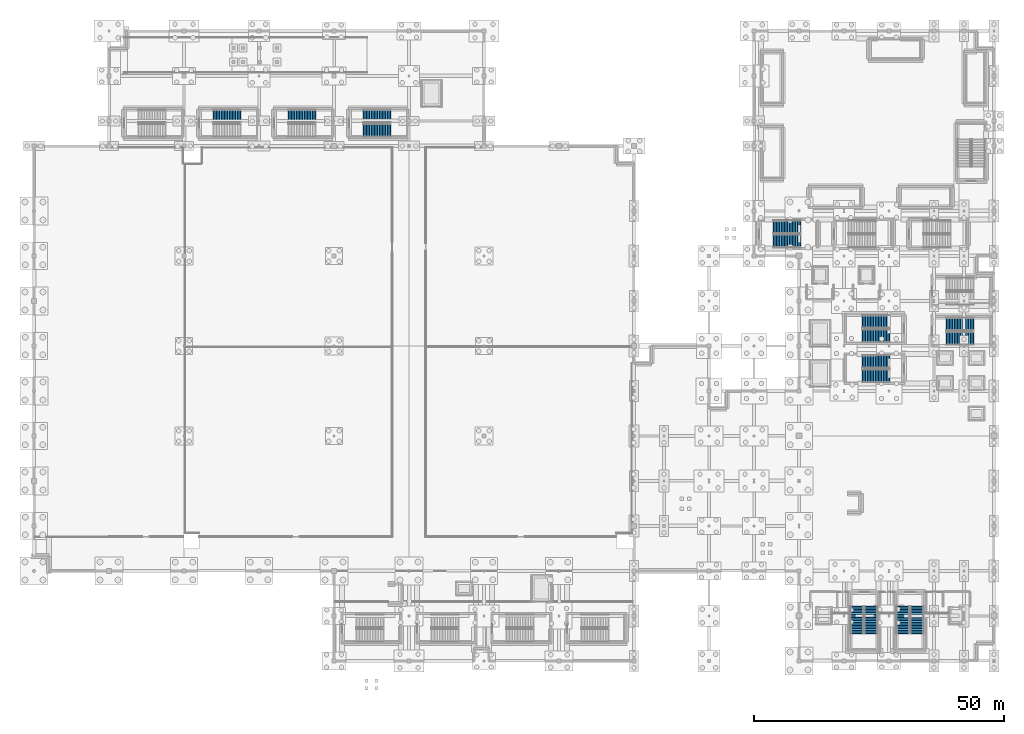
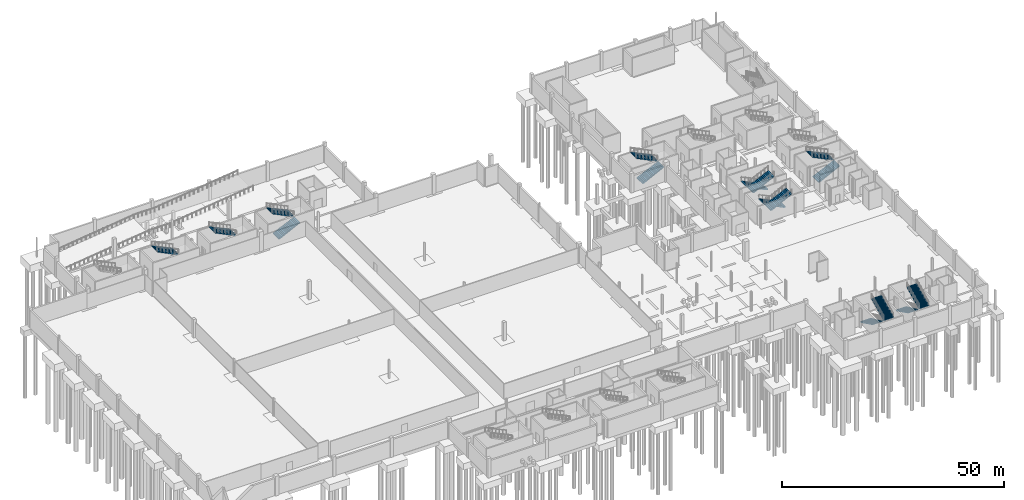
# One storey, part 47 of 58: 16 stair flights, 9 elements without a shape of their own.
"""IFC4 building model written with IfcOpenShell, lengths in metres."""

from ifc_helpers import new_model, si_unit, direction, frame, origin, place, context, subcontext, project, spatial, polyline, outline, extrude, material, type_object, element, aggregate, save


model = new_model("IFC4")

# Units and contexts
model_context = context("Model", 3, precision=1e-05, world=origin(), true_north=direction((0.0, 1.0)))
body_context = subcontext(model_context, "Body", "Model", "MODEL_VIEW")
ifc_project = project(units=[si_unit("LENGTHUNIT", "METRE"), si_unit("AREAUNIT", "SQUARE_METRE"), si_unit("VOLUMEUNIT", "CUBIC_METRE"), si_unit("PLANEANGLEUNIT", "RADIAN"), si_unit("MASSUNIT", "GRAM", prefix="KILO")], contexts=[model_context])

# Site, building, storey
site_placement = place(None, origin())
site = spatial("IfcSite", under=ifc_project, at=site_placement, CompositionType="ELEMENT")
building_placement = place(site_placement, origin())
building = spatial("IfcBuilding", under=site, at=building_placement, Name="Qamarlyn Nura Convention Centre", CompositionType="ELEMENT")
storey_placement = place(building_placement, frame((0.0, 0.0, -5.39990234375)))
storey = spatial("IfcBuildingStorey", under=building, at=storey_placement, Name="B01", CompositionType="ELEMENT", Elevation=-5.39990234375)

# Stair, stair flight
ifc_material = material(Name="Concrete C40/50", Category="concrete")
stair_type = type_object("IfcStairType", Name="STAIR-EXIT-54", PredefinedType="HALF_TURN_STAIR", material=ifc_material)
stair_1_placement = place(storey_placement, origin())
stair_1 = element("IfcStair", 1, at=stair_1_placement, inside=storey, type_object=stair_type, Name="B01 Enclosed exit stair ST-02", PredefinedType="HALF_TURN_STAIR")
stair_flight_type = type_object("IfcStairFlightType", Name="FLIGHT-EXIT-54", PredefinedType="STRAIGHT", material=ifc_material)
stair_flight_1_placement = place(storey_placement, frame((41.300048828125, 108.969970703125, 2.699951171875), z_axis=(0.0, 0.0, 1.0), x_axis=(-1.0, 0.0, 0.0)))
stair_flight_1 = element("IfcStairFlight", 2, at=stair_flight_1_placement, type_object=stair_flight_type, Name="ST-02 flight 2", NumberOfRisers=18, NumberOfTreads=17, PredefinedType="STRAIGHT", RiserHeight=0.15, TreadLength=0.32, context=body_context, shape_type="SweptSolid", body=[
    extrude(outline(polyline([(-0.054931640625, 0.0), (0.0, 0.0), (0.0, 0.14990234375), (0.320068359375, 0.14990234375), (0.320068359375, 0.300048828125), (0.639892578125, 0.300048828125), (0.639892578125, 0.449951171875), (0.9599609375, 0.449951171875), (0.9599609375, 0.60009765625), (1.280029296875, 0.60009765625), (1.280029296875, 0.75), (1.60009765625, 0.75), (1.60009765625, 0.89990234375), (1.919921875, 0.89990234375), (1.919921875, 1.050048828125), (2.239990234375, 1.050048828125), (2.239990234375, 1.199951171875), (2.56005859375, 1.199951171875), (2.56005859375, 1.35009765625), (2.8798828125, 1.35009765625), (2.8798828125, 1.5), (3.199951171875, 1.5), (3.199951171875, 1.64990234375), (3.52001953125, 1.64990234375), (3.52001953125, 1.800048828125), (3.840087890625, 1.800048828125), (3.840087890625, 1.949951171875), (4.159912109375, 1.949951171875), (4.159912109375, 2.10009765625), (4.47998046875, 2.10009765625), (4.47998046875, 2.25), (4.800048828125, 2.25), (4.800048828125, 2.39990234375), (5.1201171875, 2.39990234375), (5.1201171875, 2.550048828125), (5.43994140625, 2.550048828125), (5.43994140625, 2.699951171875), (5.494873046875, 2.699951171875), (5.494873046875, 2.56005859375), (5.43994140625, 2.384521484375), (0.353271484375, -0.139892578125), (-0.054931640625, -0.139892578125), (-0.054931640625, 0.0)])), frame((0.0, 1.330078125, 0.0), z_axis=(0.0, -1.0, 0.0), x_axis=(1.0, 0.0, 0.0)), (0.0, 0.0, 1.0), 2.659912109375),
])
aggregate(stair_1, [stair_flight_1])

stair_2_placement = place(storey_placement, origin())
stair_2 = element("IfcStair", 3, at=stair_2_placement, inside=storey, type_object=stair_type, Name="B01 Enclosed exit stair ST-03", PredefinedType="HALF_TURN_STAIR")
stair_flight_2_placement = place(storey_placement, frame((56.300048828125, 108.969970703125, 2.699951171875), z_axis=(0.0, 0.0, 1.0), x_axis=(-1.0, 0.0, 0.0)))
stair_flight_2 = element("IfcStairFlight", 4, at=stair_flight_2_placement, type_object=stair_flight_type, Name="ST-03 flight 2", NumberOfRisers=18, NumberOfTreads=17, PredefinedType="STRAIGHT", RiserHeight=0.15, TreadLength=0.32, context=body_context, shape_type="SweptSolid", body=[
    extrude(outline(polyline([(-0.054931640625, 0.0), (0.0, 0.0), (0.0, 0.14990234375), (0.320068359375, 0.14990234375), (0.320068359375, 0.300048828125), (0.639892578125, 0.300048828125), (0.639892578125, 0.449951171875), (0.9599609375, 0.449951171875), (0.9599609375, 0.60009765625), (1.280029296875, 0.60009765625), (1.280029296875, 0.75), (1.60009765625, 0.75), (1.60009765625, 0.89990234375), (1.919921875, 0.89990234375), (1.919921875, 1.050048828125), (2.239990234375, 1.050048828125), (2.239990234375, 1.199951171875), (2.56005859375, 1.199951171875), (2.56005859375, 1.35009765625), (2.8798828125, 1.35009765625), (2.8798828125, 1.5), (3.199951171875, 1.5), (3.199951171875, 1.64990234375), (3.52001953125, 1.64990234375), (3.52001953125, 1.800048828125), (3.840087890625, 1.800048828125), (3.840087890625, 1.949951171875), (4.159912109375, 1.949951171875), (4.159912109375, 2.10009765625), (4.47998046875, 2.10009765625), (4.47998046875, 2.25), (4.800048828125, 2.25), (4.800048828125, 2.39990234375), (5.1201171875, 2.39990234375), (5.1201171875, 2.550048828125), (5.43994140625, 2.550048828125), (5.43994140625, 2.699951171875), (5.494873046875, 2.699951171875), (5.494873046875, 2.56005859375), (5.43994140625, 2.384521484375), (0.353271484375, -0.139892578125), (-0.054931640625, -0.139892578125), (-0.054931640625, 0.0)])), frame((0.0, 1.330078125, 0.0), z_axis=(0.0, -1.0, 0.0), x_axis=(1.0, 0.0, 0.0)), (0.0, 0.0, 1.0), 2.659912109375),
])
aggregate(stair_2, [stair_flight_2])

# Stair, stair flights
stair_3_placement = place(storey_placement, origin())
stair_3 = element("IfcStair", 5, at=stair_3_placement, inside=storey, type_object=stair_type, Name="B01 Enclosed exit stair ST-04", PredefinedType="HALF_TURN_STAIR")
stair_flight_3_placement = place(storey_placement, frame((65.860107421875, 106.1298828125, 0.0), z_axis=(0.0, 0.0, 1.0), x_axis=(1.0, 0.0, 0.0)))
stair_flight_3 = element("IfcStairFlight", 6, at=stair_flight_3_placement, type_object=stair_flight_type, Name="ST-04 flight 1", NumberOfRisers=18, NumberOfTreads=17, PredefinedType="STRAIGHT", RiserHeight=0.15, TreadLength=0.32, context=body_context, shape_type="SweptSolid", body=[
    extrude(outline(polyline([(-0.054931640625, 0.0), (0.0, 0.0), (0.0, 0.14990234375), (0.320068359375, 0.14990234375), (0.320068359375, 0.300048828125), (0.639892578125, 0.300048828125), (0.639892578125, 0.449951171875), (0.9599609375, 0.449951171875), (0.9599609375, 0.60009765625), (1.280029296875, 0.60009765625), (1.280029296875, 0.75), (1.60009765625, 0.75), (1.60009765625, 0.89990234375), (1.919921875, 0.89990234375), (1.919921875, 1.050048828125), (2.239990234375, 1.050048828125), (2.239990234375, 1.199951171875), (2.56005859375, 1.199951171875), (2.56005859375, 1.35009765625), (2.8798828125, 1.35009765625), (2.8798828125, 1.5), (3.199951171875, 1.5), (3.199951171875, 1.64990234375), (3.52001953125, 1.64990234375), (3.52001953125, 1.800048828125), (3.840087890625, 1.800048828125), (3.840087890625, 1.949951171875), (4.159912109375, 1.949951171875), (4.159912109375, 2.10009765625), (4.47998046875, 2.10009765625), (4.47998046875, 2.25), (4.800048828125, 2.25), (4.800048828125, 2.39990234375), (5.1201171875, 2.39990234375), (5.1201171875, 2.550048828125), (5.43994140625, 2.550048828125), (5.43994140625, 2.699951171875), (5.494873046875, 2.699951171875), (5.494873046875, 2.56005859375), (5.43994140625, 2.384521484375), (0.353271484375, -0.139892578125), (-0.054931640625, -0.139892578125), (-0.054931640625, 0.0)])), frame((0.0, 1.330078125, 0.0), z_axis=(0.0, -1.0, 0.0), x_axis=(1.0, 0.0, 0.0)), (0.0, 0.0, 1.0), 2.659912109375),
])
stair_flight_4_placement = place(storey_placement, frame((71.300048828125, 108.969970703125, 2.699951171875), z_axis=(0.0, 0.0, 1.0), x_axis=(-1.0, 0.0, 0.0)))
stair_flight_4 = element("IfcStairFlight", 7, at=stair_flight_4_placement, type_object=stair_flight_type, Name="ST-04 flight 2", NumberOfRisers=18, NumberOfTreads=17, PredefinedType="STRAIGHT", RiserHeight=0.15, TreadLength=0.32, context=body_context, shape_type="SweptSolid", body=[
    extrude(outline(polyline([(-0.054931640625, 0.0), (0.0, 0.0), (0.0, 0.14990234375), (0.320068359375, 0.14990234375), (0.320068359375, 0.300048828125), (0.639892578125, 0.300048828125), (0.639892578125, 0.449951171875), (0.9599609375, 0.449951171875), (0.9599609375, 0.60009765625), (1.280029296875, 0.60009765625), (1.280029296875, 0.75), (1.60009765625, 0.75), (1.60009765625, 0.89990234375), (1.919921875, 0.89990234375), (1.919921875, 1.050048828125), (2.239990234375, 1.050048828125), (2.239990234375, 1.199951171875), (2.56005859375, 1.199951171875), (2.56005859375, 1.35009765625), (2.8798828125, 1.35009765625), (2.8798828125, 1.5), (3.199951171875, 1.5), (3.199951171875, 1.64990234375), (3.52001953125, 1.64990234375), (3.52001953125, 1.800048828125), (3.840087890625, 1.800048828125), (3.840087890625, 1.949951171875), (4.159912109375, 1.949951171875), (4.159912109375, 2.10009765625), (4.47998046875, 2.10009765625), (4.47998046875, 2.25), (4.800048828125, 2.25), (4.800048828125, 2.39990234375), (5.1201171875, 2.39990234375), (5.1201171875, 2.550048828125), (5.43994140625, 2.550048828125), (5.43994140625, 2.699951171875), (5.494873046875, 2.699951171875), (5.494873046875, 2.56005859375), (5.43994140625, 2.384521484375), (0.353271484375, -0.139892578125), (-0.054931640625, -0.139892578125), (-0.054931640625, 0.0)])), frame((0.0, 1.330078125, 0.0), z_axis=(0.0, -1.0, 0.0), x_axis=(1.0, 0.0, 0.0)), (0.0, 0.0, 1.0), 2.659912109375),
])
aggregate(stair_3, [stair_flight_3, stair_flight_4])

stair_4_placement = place(storey_placement, origin())
stair_4 = element("IfcStair", 8, at=stair_4_placement, inside=storey, type_object=stair_type, Name="B01 Enclosed exit stair ST-09", PredefinedType="HALF_TURN_STAIR")
stair_flight_5_placement = place(storey_placement, frame((164.580078125, 10.93994140625, 0.0), z_axis=(0.0, 0.0, 1.0), x_axis=(0.0, -1.0, 0.0)))
stair_flight_5 = element("IfcStairFlight", 9, at=stair_flight_5_placement, type_object=stair_flight_type, Name="ST-09 flight 1", NumberOfRisers=18, NumberOfTreads=17, PredefinedType="STRAIGHT", RiserHeight=0.15, TreadLength=0.32, context=body_context, shape_type="SweptSolid", body=[
    extrude(outline(polyline([(-0.054931640625, 0.0), (0.0, 0.0), (0.0, 0.14990234375), (0.320068359375, 0.14990234375), (0.320068359375, 0.300048828125), (0.639892578125, 0.300048828125), (0.639892578125, 0.449951171875), (0.9599609375, 0.449951171875), (0.9599609375, 0.60009765625), (1.280029296875, 0.60009765625), (1.280029296875, 0.75), (1.60009765625, 0.75), (1.60009765625, 0.89990234375), (1.919921875, 0.89990234375), (1.919921875, 1.050048828125), (2.239990234375, 1.050048828125), (2.239990234375, 1.199951171875), (2.56005859375, 1.199951171875), (2.56005859375, 1.35009765625), (2.8798828125, 1.35009765625), (2.8798828125, 1.5), (3.199951171875, 1.5), (3.199951171875, 1.64990234375), (3.52001953125, 1.64990234375), (3.52001953125, 1.800048828125), (3.840087890625, 1.800048828125), (3.840087890625, 1.949951171875), (4.159912109375, 1.949951171875), (4.159912109375, 2.10009765625), (4.47998046875, 2.10009765625), (4.47998046875, 2.25), (4.800048828125, 2.25), (4.800048828125, 2.39990234375), (5.1201171875, 2.39990234375), (5.1201171875, 2.550048828125), (5.43994140625, 2.550048828125), (5.43994140625, 2.699951171875), (5.494873046875, 2.699951171875), (5.494873046875, 2.56005859375), (5.43994140625, 2.384521484375), (0.353271484375, -0.139892578125), (-0.054931640625, -0.139892578125), (-0.054931640625, 0.0)])), frame((0.0, 1.330078125, 0.0), z_axis=(0.0, -1.0, 0.0), x_axis=(1.0, 0.0, 0.0)), (0.0, 0.0, 1.0), 2.659912109375),
])
stair_flight_6_placement = place(storey_placement, frame((167.419921875, 5.5, 2.699951171875), z_axis=(0.0, 0.0, 1.0), x_axis=(0.0, 1.0, 0.0)))
stair_flight_6 = element("IfcStairFlight", 10, at=stair_flight_6_placement, type_object=stair_flight_type, Name="ST-09 flight 2", NumberOfRisers=18, NumberOfTreads=17, PredefinedType="STRAIGHT", RiserHeight=0.15, TreadLength=0.32, context=body_context, shape_type="SweptSolid", body=[
    extrude(outline(polyline([(-0.054931640625, 0.0), (0.0, 0.0), (0.0, 0.14990234375), (0.320068359375, 0.14990234375), (0.320068359375, 0.300048828125), (0.639892578125, 0.300048828125), (0.639892578125, 0.449951171875), (0.9599609375, 0.449951171875), (0.9599609375, 0.60009765625), (1.280029296875, 0.60009765625), (1.280029296875, 0.75), (1.60009765625, 0.75), (1.60009765625, 0.89990234375), (1.919921875, 0.89990234375), (1.919921875, 1.050048828125), (2.239990234375, 1.050048828125), (2.239990234375, 1.199951171875), (2.56005859375, 1.199951171875), (2.56005859375, 1.35009765625), (2.8798828125, 1.35009765625), (2.8798828125, 1.5), (3.199951171875, 1.5), (3.199951171875, 1.64990234375), (3.52001953125, 1.64990234375), (3.52001953125, 1.800048828125), (3.840087890625, 1.800048828125), (3.840087890625, 1.949951171875), (4.159912109375, 1.949951171875), (4.159912109375, 2.10009765625), (4.47998046875, 2.10009765625), (4.47998046875, 2.25), (4.800048828125, 2.25), (4.800048828125, 2.39990234375), (5.1201171875, 2.39990234375), (5.1201171875, 2.550048828125), (5.43994140625, 2.550048828125), (5.43994140625, 2.699951171875), (5.494873046875, 2.699951171875), (5.494873046875, 2.56005859375), (5.43994140625, 2.384521484375), (0.353271484375, -0.139892578125), (-0.054931640625, -0.139892578125), (-0.054931640625, 0.0)])), frame((0.0, 1.330078125, 0.0), z_axis=(0.0, -1.0, 0.0), x_axis=(1.0, 0.0, 0.0)), (0.0, 0.0, 1.0), 2.659912109375),
])
aggregate(stair_4, [stair_flight_5, stair_flight_6])

stair_5_placement = place(storey_placement, origin())
stair_5 = element("IfcStair", 11, at=stair_5_placement, inside=storey, type_object=stair_type, Name="B01 Enclosed exit stair ST-10", PredefinedType="HALF_TURN_STAIR")
stair_flight_7_placement = place(storey_placement, frame((173.780029296875, 10.93994140625, 0.0), z_axis=(0.0, 0.0, 1.0), x_axis=(0.0, -1.0, 0.0)))
stair_flight_7 = element("IfcStairFlight", 12, at=stair_flight_7_placement, type_object=stair_flight_type, Name="ST-10 flight 1", NumberOfRisers=18, NumberOfTreads=17, PredefinedType="STRAIGHT", RiserHeight=0.15, TreadLength=0.32, context=body_context, shape_type="SweptSolid", body=[
    extrude(outline(polyline([(-0.054931640625, 0.0), (0.0, 0.0), (0.0, 0.14990234375), (0.320068359375, 0.14990234375), (0.320068359375, 0.300048828125), (0.639892578125, 0.300048828125), (0.639892578125, 0.449951171875), (0.9599609375, 0.449951171875), (0.9599609375, 0.60009765625), (1.280029296875, 0.60009765625), (1.280029296875, 0.75), (1.60009765625, 0.75), (1.60009765625, 0.89990234375), (1.919921875, 0.89990234375), (1.919921875, 1.050048828125), (2.239990234375, 1.050048828125), (2.239990234375, 1.199951171875), (2.56005859375, 1.199951171875), (2.56005859375, 1.35009765625), (2.8798828125, 1.35009765625), (2.8798828125, 1.5), (3.199951171875, 1.5), (3.199951171875, 1.64990234375), (3.52001953125, 1.64990234375), (3.52001953125, 1.800048828125), (3.840087890625, 1.800048828125), (3.840087890625, 1.949951171875), (4.159912109375, 1.949951171875), (4.159912109375, 2.10009765625), (4.47998046875, 2.10009765625), (4.47998046875, 2.25), (4.800048828125, 2.25), (4.800048828125, 2.39990234375), (5.1201171875, 2.39990234375), (5.1201171875, 2.550048828125), (5.43994140625, 2.550048828125), (5.43994140625, 2.699951171875), (5.494873046875, 2.699951171875), (5.494873046875, 2.56005859375), (5.43994140625, 2.384521484375), (0.353271484375, -0.139892578125), (-0.054931640625, -0.139892578125), (-0.054931640625, 0.0)])), frame((0.0, 1.330078125, 0.0), z_axis=(0.0, -1.0, 0.0), x_axis=(1.0, 0.0, 0.0)), (0.0, 0.0, 1.0), 2.659912109375),
])
stair_flight_8_placement = place(storey_placement, frame((176.6201171875, 5.5, 2.699951171875), z_axis=(0.0, 0.0, 1.0), x_axis=(0.0, 1.0, 0.0)))
stair_flight_8 = element("IfcStairFlight", 13, at=stair_flight_8_placement, type_object=stair_flight_type, Name="ST-10 flight 2", NumberOfRisers=18, NumberOfTreads=17, PredefinedType="STRAIGHT", RiserHeight=0.15, TreadLength=0.32, context=body_context, shape_type="SweptSolid", body=[
    extrude(outline(polyline([(-0.054931640625, 0.0), (0.0, 0.0), (0.0, 0.14990234375), (0.320068359375, 0.14990234375), (0.320068359375, 0.300048828125), (0.639892578125, 0.300048828125), (0.639892578125, 0.449951171875), (0.9599609375, 0.449951171875), (0.9599609375, 0.60009765625), (1.280029296875, 0.60009765625), (1.280029296875, 0.75), (1.60009765625, 0.75), (1.60009765625, 0.89990234375), (1.919921875, 0.89990234375), (1.919921875, 1.050048828125), (2.239990234375, 1.050048828125), (2.239990234375, 1.199951171875), (2.56005859375, 1.199951171875), (2.56005859375, 1.35009765625), (2.8798828125, 1.35009765625), (2.8798828125, 1.5), (3.199951171875, 1.5), (3.199951171875, 1.64990234375), (3.52001953125, 1.64990234375), (3.52001953125, 1.800048828125), (3.840087890625, 1.800048828125), (3.840087890625, 1.949951171875), (4.159912109375, 1.949951171875), (4.159912109375, 2.10009765625), (4.47998046875, 2.10009765625), (4.47998046875, 2.25), (4.800048828125, 2.25), (4.800048828125, 2.39990234375), (5.1201171875, 2.39990234375), (5.1201171875, 2.550048828125), (5.43994140625, 2.550048828125), (5.43994140625, 2.699951171875), (5.494873046875, 2.699951171875), (5.494873046875, 2.56005859375), (5.43994140625, 2.384521484375), (0.353271484375, -0.139892578125), (-0.054931640625, -0.139892578125), (-0.054931640625, 0.0)])), frame((0.0, 1.330078125, 0.0), z_axis=(0.0, -1.0, 0.0), x_axis=(1.0, 0.0, 0.0)), (0.0, 0.0, 1.0), 2.659912109375),
])
aggregate(stair_5, [stair_flight_7, stair_flight_8])

stair_6_placement = place(storey_placement, origin())
stair_6 = element("IfcStair", 14, at=stair_6_placement, inside=storey, type_object=stair_type, Name="B01 Enclosed exit stair ST-11", PredefinedType="HALF_TURN_STAIR")
stair_flight_9_placement = place(storey_placement, frame((171.139892578125, 59.8701171875, 0.0), z_axis=(0.0, 0.0, 1.0), x_axis=(-1.0, 0.0, 0.0)))
stair_flight_9 = element("IfcStairFlight", 15, at=stair_flight_9_placement, type_object=stair_flight_type, Name="ST-11 flight 1", NumberOfRisers=18, NumberOfTreads=17, PredefinedType="STRAIGHT", RiserHeight=0.15, TreadLength=0.32, context=body_context, shape_type="SweptSolid", body=[
    extrude(outline(polyline([(-0.054931640625, 0.0), (0.0, 0.0), (0.0, 0.14990234375), (0.320068359375, 0.14990234375), (0.320068359375, 0.300048828125), (0.639892578125, 0.300048828125), (0.639892578125, 0.449951171875), (0.9599609375, 0.449951171875), (0.9599609375, 0.60009765625), (1.280029296875, 0.60009765625), (1.280029296875, 0.75), (1.60009765625, 0.75), (1.60009765625, 0.89990234375), (1.919921875, 0.89990234375), (1.919921875, 1.050048828125), (2.239990234375, 1.050048828125), (2.239990234375, 1.199951171875), (2.56005859375, 1.199951171875), (2.56005859375, 1.35009765625), (2.8798828125, 1.35009765625), (2.8798828125, 1.5), (3.199951171875, 1.5), (3.199951171875, 1.64990234375), (3.52001953125, 1.64990234375), (3.52001953125, 1.800048828125), (3.840087890625, 1.800048828125), (3.840087890625, 1.949951171875), (4.159912109375, 1.949951171875), (4.159912109375, 2.10009765625), (4.47998046875, 2.10009765625), (4.47998046875, 2.25), (4.800048828125, 2.25), (4.800048828125, 2.39990234375), (5.1201171875, 2.39990234375), (5.1201171875, 2.550048828125), (5.43994140625, 2.550048828125), (5.43994140625, 2.699951171875), (5.494873046875, 2.699951171875), (5.494873046875, 2.56005859375), (5.43994140625, 2.384521484375), (0.353271484375, -0.139892578125), (-0.054931640625, -0.139892578125), (-0.054931640625, 0.0)])), frame((0.0, 1.330078125, 0.0), z_axis=(0.0, -1.0, 0.0), x_axis=(1.0, 0.0, 0.0)), (0.0, 0.0, 1.0), 2.659912109375),
])
stair_flight_10_placement = place(storey_placement, frame((165.699951171875, 57.030029296875, 2.699951171875), z_axis=(0.0, 0.0, 1.0), x_axis=(1.0, 0.0, 0.0)))
stair_flight_10 = element("IfcStairFlight", 16, at=stair_flight_10_placement, type_object=stair_flight_type, Name="ST-11 flight 2", NumberOfRisers=18, NumberOfTreads=17, PredefinedType="STRAIGHT", RiserHeight=0.15, TreadLength=0.32, context=body_context, shape_type="SweptSolid", body=[
    extrude(outline(polyline([(-0.054931640625, 0.0), (0.0, 0.0), (0.0, 0.14990234375), (0.320068359375, 0.14990234375), (0.320068359375, 0.300048828125), (0.639892578125, 0.300048828125), (0.639892578125, 0.449951171875), (0.9599609375, 0.449951171875), (0.9599609375, 0.60009765625), (1.280029296875, 0.60009765625), (1.280029296875, 0.75), (1.60009765625, 0.75), (1.60009765625, 0.89990234375), (1.919921875, 0.89990234375), (1.919921875, 1.050048828125), (2.239990234375, 1.050048828125), (2.239990234375, 1.199951171875), (2.56005859375, 1.199951171875), (2.56005859375, 1.35009765625), (2.8798828125, 1.35009765625), (2.8798828125, 1.5), (3.199951171875, 1.5), (3.199951171875, 1.64990234375), (3.52001953125, 1.64990234375), (3.52001953125, 1.800048828125), (3.840087890625, 1.800048828125), (3.840087890625, 1.949951171875), (4.159912109375, 1.949951171875), (4.159912109375, 2.10009765625), (4.47998046875, 2.10009765625), (4.47998046875, 2.25), (4.800048828125, 2.25), (4.800048828125, 2.39990234375), (5.1201171875, 2.39990234375), (5.1201171875, 2.550048828125), (5.43994140625, 2.550048828125), (5.43994140625, 2.699951171875), (5.494873046875, 2.699951171875), (5.494873046875, 2.56005859375), (5.43994140625, 2.384521484375), (0.353271484375, -0.139892578125), (-0.054931640625, -0.139892578125), (-0.054931640625, 0.0)])), frame((0.0, 1.330078125, 0.0), z_axis=(0.0, -1.0, 0.0), x_axis=(1.0, 0.0, 0.0)), (0.0, 0.0, 1.0), 2.659912109375),
])
aggregate(stair_6, [stair_flight_9, stair_flight_10])

stair_7_placement = place(storey_placement, origin())
stair_7 = element("IfcStair", 17, at=stair_7_placement, inside=storey, type_object=stair_type, Name="B01 Enclosed exit stair ST-12", PredefinedType="HALF_TURN_STAIR")
stair_flight_11_placement = place(storey_placement, frame((171.139892578125, 67.8701171875, 0.0), z_axis=(0.0, 0.0, 1.0), x_axis=(-1.0, 0.0, 0.0)))
stair_flight_11 = element("IfcStairFlight", 18, at=stair_flight_11_placement, type_object=stair_flight_type, Name="ST-12 flight 1", NumberOfRisers=18, NumberOfTreads=17, PredefinedType="STRAIGHT", RiserHeight=0.15, TreadLength=0.32, context=body_context, shape_type="SweptSolid", body=[
    extrude(outline(polyline([(-0.054931640625, 0.0), (0.0, 0.0), (0.0, 0.14990234375), (0.320068359375, 0.14990234375), (0.320068359375, 0.300048828125), (0.639892578125, 0.300048828125), (0.639892578125, 0.449951171875), (0.9599609375, 0.449951171875), (0.9599609375, 0.60009765625), (1.280029296875, 0.60009765625), (1.280029296875, 0.75), (1.60009765625, 0.75), (1.60009765625, 0.89990234375), (1.919921875, 0.89990234375), (1.919921875, 1.050048828125), (2.239990234375, 1.050048828125), (2.239990234375, 1.199951171875), (2.56005859375, 1.199951171875), (2.56005859375, 1.35009765625), (2.8798828125, 1.35009765625), (2.8798828125, 1.5), (3.199951171875, 1.5), (3.199951171875, 1.64990234375), (3.52001953125, 1.64990234375), (3.52001953125, 1.800048828125), (3.840087890625, 1.800048828125), (3.840087890625, 1.949951171875), (4.159912109375, 1.949951171875), (4.159912109375, 2.10009765625), (4.47998046875, 2.10009765625), (4.47998046875, 2.25), (4.800048828125, 2.25), (4.800048828125, 2.39990234375), (5.1201171875, 2.39990234375), (5.1201171875, 2.550048828125), (5.43994140625, 2.550048828125), (5.43994140625, 2.699951171875), (5.494873046875, 2.699951171875), (5.494873046875, 2.56005859375), (5.43994140625, 2.384521484375), (0.353271484375, -0.139892578125), (-0.054931640625, -0.139892578125), (-0.054931640625, 0.0)])), frame((0.0, 1.330078125, 0.0), z_axis=(0.0, -1.0, 0.0), x_axis=(1.0, 0.0, 0.0)), (0.0, 0.0, 1.0), 2.659912109375),
])
stair_flight_12_placement = place(storey_placement, frame((165.699951171875, 65.030029296875, 2.699951171875), z_axis=(0.0, 0.0, 1.0), x_axis=(1.0, 0.0, 0.0)))
stair_flight_12 = element("IfcStairFlight", 19, at=stair_flight_12_placement, type_object=stair_flight_type, Name="ST-12 flight 2", NumberOfRisers=18, NumberOfTreads=17, PredefinedType="STRAIGHT", RiserHeight=0.15, TreadLength=0.32, context=body_context, shape_type="SweptSolid", body=[
    extrude(outline(polyline([(-0.054931640625, 0.0), (0.0, 0.0), (0.0, 0.14990234375), (0.320068359375, 0.14990234375), (0.320068359375, 0.300048828125), (0.639892578125, 0.300048828125), (0.639892578125, 0.449951171875), (0.9599609375, 0.449951171875), (0.9599609375, 0.60009765625), (1.280029296875, 0.60009765625), (1.280029296875, 0.75), (1.60009765625, 0.75), (1.60009765625, 0.89990234375), (1.919921875, 0.89990234375), (1.919921875, 1.050048828125), (2.239990234375, 1.050048828125), (2.239990234375, 1.199951171875), (2.56005859375, 1.199951171875), (2.56005859375, 1.35009765625), (2.8798828125, 1.35009765625), (2.8798828125, 1.5), (3.199951171875, 1.5), (3.199951171875, 1.64990234375), (3.52001953125, 1.64990234375), (3.52001953125, 1.800048828125), (3.840087890625, 1.800048828125), (3.840087890625, 1.949951171875), (4.159912109375, 1.949951171875), (4.159912109375, 2.10009765625), (4.47998046875, 2.10009765625), (4.47998046875, 2.25), (4.800048828125, 2.25), (4.800048828125, 2.39990234375), (5.1201171875, 2.39990234375), (5.1201171875, 2.550048828125), (5.43994140625, 2.550048828125), (5.43994140625, 2.699951171875), (5.494873046875, 2.699951171875), (5.494873046875, 2.56005859375), (5.43994140625, 2.384521484375), (0.353271484375, -0.139892578125), (-0.054931640625, -0.139892578125), (-0.054931640625, 0.0)])), frame((0.0, 1.330078125, 0.0), z_axis=(0.0, -1.0, 0.0), x_axis=(1.0, 0.0, 0.0)), (0.0, 0.0, 1.0), 2.659912109375),
])
aggregate(stair_7, [stair_flight_11, stair_flight_12])

stair_8_placement = place(storey_placement, origin())
stair_8 = element("IfcStair", 20, at=stair_8_placement, inside=storey, type_object=stair_type, Name="B01 Enclosed exit stair ST-13", PredefinedType="HALF_TURN_STAIR")
stair_flight_13_placement = place(storey_placement, frame((182.4599609375, 64.530029296875, 0.0), z_axis=(0.0, 0.0, 1.0), x_axis=(1.0, 0.0, 0.0)))
stair_flight_13 = element("IfcStairFlight", 21, at=stair_flight_13_placement, type_object=stair_flight_type, Name="ST-13 flight 1", NumberOfRisers=18, NumberOfTreads=17, PredefinedType="STRAIGHT", RiserHeight=0.15, TreadLength=0.32, context=body_context, shape_type="SweptSolid", body=[
    extrude(outline(polyline([(-0.054931640625, 0.0), (0.0, 0.0), (0.0, 0.14990234375), (0.320068359375, 0.14990234375), (0.320068359375, 0.300048828125), (0.639892578125, 0.300048828125), (0.639892578125, 0.449951171875), (0.9599609375, 0.449951171875), (0.9599609375, 0.60009765625), (1.280029296875, 0.60009765625), (1.280029296875, 0.75), (1.60009765625, 0.75), (1.60009765625, 0.89990234375), (1.919921875, 0.89990234375), (1.919921875, 1.050048828125), (2.239990234375, 1.050048828125), (2.239990234375, 1.199951171875), (2.56005859375, 1.199951171875), (2.56005859375, 1.35009765625), (2.8798828125, 1.35009765625), (2.8798828125, 1.5), (3.199951171875, 1.5), (3.199951171875, 1.64990234375), (3.52001953125, 1.64990234375), (3.52001953125, 1.800048828125), (3.840087890625, 1.800048828125), (3.840087890625, 1.949951171875), (4.159912109375, 1.949951171875), (4.159912109375, 2.10009765625), (4.47998046875, 2.10009765625), (4.47998046875, 2.25), (4.800048828125, 2.25), (4.800048828125, 2.39990234375), (5.1201171875, 2.39990234375), (5.1201171875, 2.550048828125), (5.43994140625, 2.550048828125), (5.43994140625, 2.699951171875), (5.494873046875, 2.699951171875), (5.494873046875, 2.56005859375), (5.43994140625, 2.384521484375), (0.353271484375, -0.139892578125), (-0.054931640625, -0.139892578125), (-0.054931640625, 0.0)])), frame((0.0, 1.330078125, 0.0), z_axis=(0.0, -1.0, 0.0), x_axis=(1.0, 0.0, 0.0)), (0.0, 0.0, 1.0), 2.659912109375),
])
stair_flight_14_placement = place(storey_placement, frame((187.89990234375, 67.3701171875, 2.699951171875), z_axis=(0.0, 0.0, 1.0), x_axis=(-1.0, 0.0, 0.0)))
stair_flight_14 = element("IfcStairFlight", 22, at=stair_flight_14_placement, type_object=stair_flight_type, Name="ST-13 flight 2", NumberOfRisers=18, NumberOfTreads=17, PredefinedType="STRAIGHT", RiserHeight=0.15, TreadLength=0.32, context=body_context, shape_type="SweptSolid", body=[
    extrude(outline(polyline([(-0.054931640625, 0.0), (0.0, 0.0), (0.0, 0.14990234375), (0.320068359375, 0.14990234375), (0.320068359375, 0.300048828125), (0.639892578125, 0.300048828125), (0.639892578125, 0.449951171875), (0.9599609375, 0.449951171875), (0.9599609375, 0.60009765625), (1.280029296875, 0.60009765625), (1.280029296875, 0.75), (1.60009765625, 0.75), (1.60009765625, 0.89990234375), (1.919921875, 0.89990234375), (1.919921875, 1.050048828125), (2.239990234375, 1.050048828125), (2.239990234375, 1.199951171875), (2.56005859375, 1.199951171875), (2.56005859375, 1.35009765625), (2.8798828125, 1.35009765625), (2.8798828125, 1.5), (3.199951171875, 1.5), (3.199951171875, 1.64990234375), (3.52001953125, 1.64990234375), (3.52001953125, 1.800048828125), (3.840087890625, 1.800048828125), (3.840087890625, 1.949951171875), (4.159912109375, 1.949951171875), (4.159912109375, 2.10009765625), (4.47998046875, 2.10009765625), (4.47998046875, 2.25), (4.800048828125, 2.25), (4.800048828125, 2.39990234375), (5.1201171875, 2.39990234375), (5.1201171875, 2.550048828125), (5.43994140625, 2.550048828125), (5.43994140625, 2.699951171875), (5.494873046875, 2.699951171875), (5.494873046875, 2.56005859375), (5.43994140625, 2.384521484375), (0.353271484375, -0.139892578125), (-0.054931640625, -0.139892578125), (-0.054931640625, 0.0)])), frame((0.0, 1.330078125, 0.0), z_axis=(0.0, -1.0, 0.0), x_axis=(1.0, 0.0, 0.0)), (0.0, 0.0, 1.0), 2.659912109375),
])
aggregate(stair_8, [stair_flight_13, stair_flight_14])

stair_9_placement = place(storey_placement, origin())
stair_9 = element("IfcStair", 23, at=stair_9_placement, inside=storey, type_object=stair_type, Name="B01 Enclosed exit stair ST-15", PredefinedType="HALF_TURN_STAIR")
stair_flight_15_placement = place(storey_placement, frame((147.860107421875, 83.97998046875, 0.0), z_axis=(0.0, 0.0, 1.0), x_axis=(1.0, 0.0, 0.0)))
stair_flight_15 = element("IfcStairFlight", 24, at=stair_flight_15_placement, type_object=stair_flight_type, Name="ST-15 flight 1", NumberOfRisers=18, NumberOfTreads=17, PredefinedType="STRAIGHT", RiserHeight=0.15, TreadLength=0.32, context=body_context, shape_type="SweptSolid", body=[
    extrude(outline(polyline([(-0.054931640625, 0.0), (0.0, 0.0), (0.0, 0.14990234375), (0.320068359375, 0.14990234375), (0.320068359375, 0.300048828125), (0.639892578125, 0.300048828125), (0.639892578125, 0.449951171875), (0.9599609375, 0.449951171875), (0.9599609375, 0.60009765625), (1.280029296875, 0.60009765625), (1.280029296875, 0.75), (1.60009765625, 0.75), (1.60009765625, 0.89990234375), (1.919921875, 0.89990234375), (1.919921875, 1.050048828125), (2.239990234375, 1.050048828125), (2.239990234375, 1.199951171875), (2.56005859375, 1.199951171875), (2.56005859375, 1.35009765625), (2.8798828125, 1.35009765625), (2.8798828125, 1.5), (3.199951171875, 1.5), (3.199951171875, 1.64990234375), (3.52001953125, 1.64990234375), (3.52001953125, 1.800048828125), (3.840087890625, 1.800048828125), (3.840087890625, 1.949951171875), (4.159912109375, 1.949951171875), (4.159912109375, 2.10009765625), (4.47998046875, 2.10009765625), (4.47998046875, 2.25), (4.800048828125, 2.25), (4.800048828125, 2.39990234375), (5.1201171875, 2.39990234375), (5.1201171875, 2.550048828125), (5.43994140625, 2.550048828125), (5.43994140625, 2.699951171875), (5.494873046875, 2.699951171875), (5.494873046875, 2.56005859375), (5.43994140625, 2.384521484375), (0.353271484375, -0.139892578125), (-0.054931640625, -0.139892578125), (-0.054931640625, 0.0)])), frame((0.0, 1.330078125, 0.0), z_axis=(0.0, -1.0, 0.0), x_axis=(1.0, 0.0, 0.0)), (0.0, 0.0, 1.0), 2.659912109375),
])
stair_flight_16_placement = place(storey_placement, frame((153.300048828125, 86.820068359375, 2.699951171875), z_axis=(0.0, 0.0, 1.0), x_axis=(-1.0, 0.0, 0.0)))
stair_flight_16 = element("IfcStairFlight", 25, at=stair_flight_16_placement, type_object=stair_flight_type, Name="ST-15 flight 2", NumberOfRisers=18, NumberOfTreads=17, PredefinedType="STRAIGHT", RiserHeight=0.15, TreadLength=0.32, context=body_context, shape_type="SweptSolid", body=[
    extrude(outline(polyline([(-0.054931640625, 0.0), (0.0, 0.0), (0.0, 0.14990234375), (0.320068359375, 0.14990234375), (0.320068359375, 0.300048828125), (0.639892578125, 0.300048828125), (0.639892578125, 0.449951171875), (0.9599609375, 0.449951171875), (0.9599609375, 0.60009765625), (1.280029296875, 0.60009765625), (1.280029296875, 0.75), (1.60009765625, 0.75), (1.60009765625, 0.89990234375), (1.919921875, 0.89990234375), (1.919921875, 1.050048828125), (2.239990234375, 1.050048828125), (2.239990234375, 1.199951171875), (2.56005859375, 1.199951171875), (2.56005859375, 1.35009765625), (2.8798828125, 1.35009765625), (2.8798828125, 1.5), (3.199951171875, 1.5), (3.199951171875, 1.64990234375), (3.52001953125, 1.64990234375), (3.52001953125, 1.800048828125), (3.840087890625, 1.800048828125), (3.840087890625, 1.949951171875), (4.159912109375, 1.949951171875), (4.159912109375, 2.10009765625), (4.47998046875, 2.10009765625), (4.47998046875, 2.25), (4.800048828125, 2.25), (4.800048828125, 2.39990234375), (5.1201171875, 2.39990234375), (5.1201171875, 2.550048828125), (5.43994140625, 2.550048828125), (5.43994140625, 2.699951171875), (5.494873046875, 2.699951171875), (5.494873046875, 2.56005859375), (5.43994140625, 2.384521484375), (0.353271484375, -0.139892578125), (-0.054931640625, -0.139892578125), (-0.054931640625, 0.0)])), frame((0.0, 1.330078125, 0.0), z_axis=(0.0, -1.0, 0.0), x_axis=(1.0, 0.0, 0.0)), (0.0, 0.0, 1.0), 2.659912109375),
])
aggregate(stair_9, [stair_flight_15, stair_flight_16])

save(model, "model.ifc")
